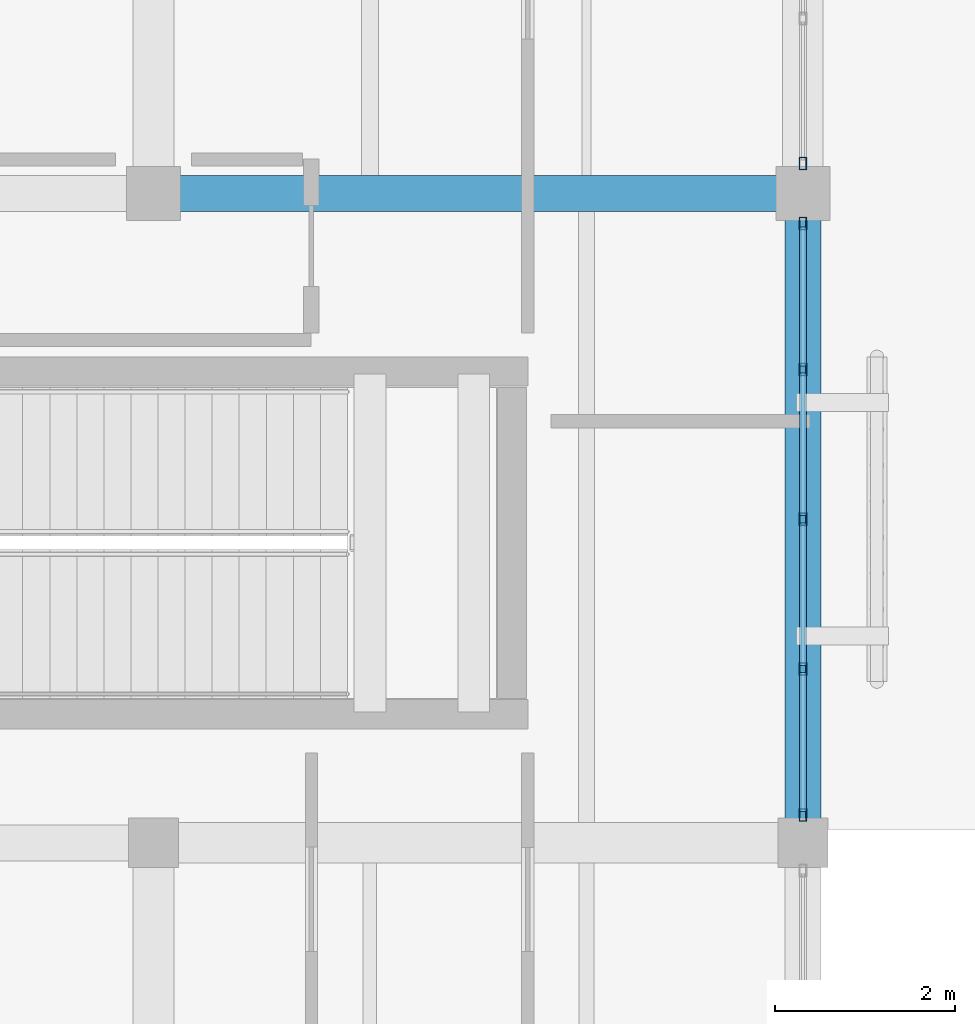
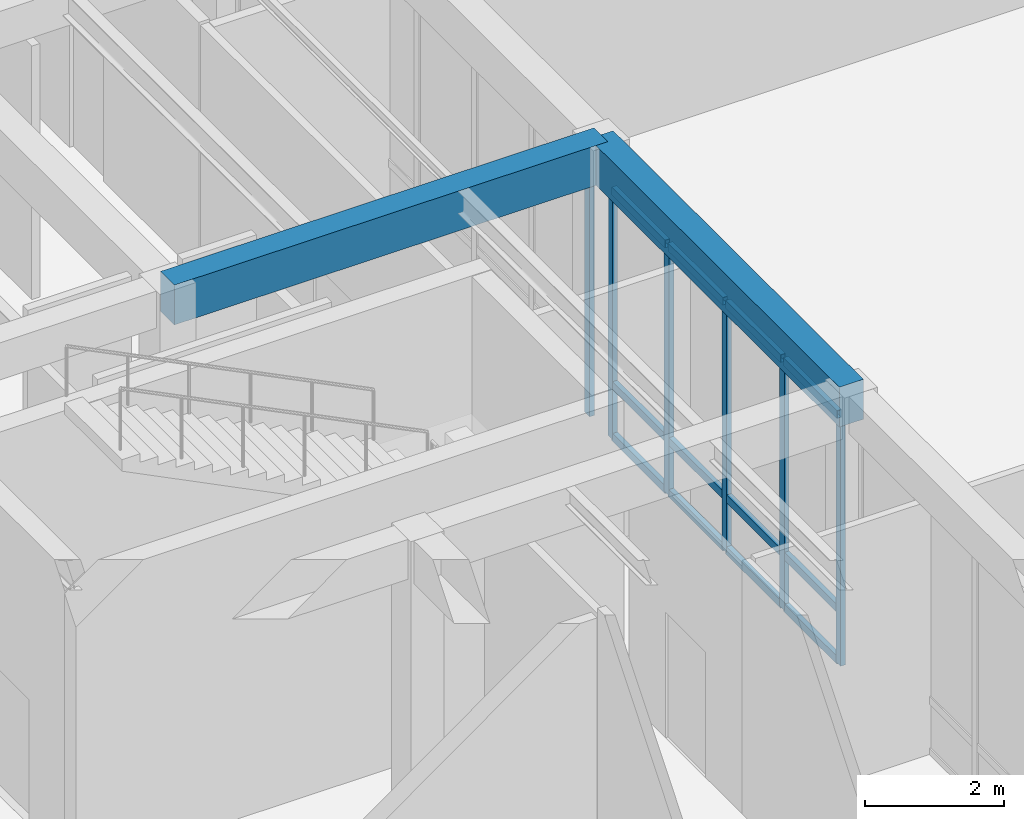
# One storey, part 95 of 169: 18 members, 2 beams, 2 elements without a shape of their own.
"""IFC4 building model written with IfcOpenShell, lengths in metres."""

from ifc_helpers import new_model, si_unit, direction, frame, origin, origin_2d, place, context, subcontext, project, spatial, rectangle, hollow_rectangle, extrude, material, layer, layer_set, material_profile, profile_set, type_object, element, aggregate, save


model = new_model("IFC4")

# Units and contexts
model_context = context("Model", 3, precision=1e-05, world=origin(), true_north=direction((0.0, 1.0)))
body_context = subcontext(model_context, "Body", "Model", "MODEL_VIEW")
ifc_project = project(units=[si_unit("LENGTHUNIT", "METRE"), si_unit("AREAUNIT", "SQUARE_METRE"), si_unit("VOLUMEUNIT", "CUBIC_METRE"), si_unit("PLANEANGLEUNIT", "RADIAN"), si_unit("MASSUNIT", "GRAM", prefix="KILO")], contexts=[model_context])

# Site, building, storey
site_placement = place(None, origin())
site = spatial("IfcSite", under=ifc_project, at=site_placement, CompositionType="ELEMENT")
building_placement = place(site_placement, origin())
building = spatial("IfcBuilding", under=site, at=building_placement, Name="Mazaris Harbour Polytechnic", CompositionType="ELEMENT")
storey_placement = place(building_placement, origin())
storey = spatial("IfcBuildingStorey", under=building, at=storey_placement, Name="L00", CompositionType="ELEMENT", Elevation=0.0)

# Curtain wall, members
ifc_material_1 = material(Name="Anodised Bronze Aluminium and Low-E Glass", Category="aluminium")
ifc_layer = layer(ifc_material_1, 0.169921875, Name="Anodised Bronze Aluminium and Low-E Glass")
ifc_layer_set = layer_set([ifc_layer], Name="Anodised Bronze Aluminium and Low-E Glass")
curtain_wall_type = type_object("IfcCurtainWallType", Name="Studio North-Light Curtain Wall", PredefinedType="NOTDEFINED", material=ifc_layer_set)
curtain_wall_1_placement = place(storey_placement, origin())
curtain_wall_1 = element("IfcCurtainWall", 1, at=curtain_wall_1_placement, inside=storey, type_object=curtain_wall_type, Name="V5 L00 Curtain Wall 198", PredefinedType="NOTDEFINED")
ifc_material_2 = material(Name="Anodised Bronze Steel S355", Category="steel")
ifc_material_profile_1 = material_profile(ifc_material_2, hollow_rectangle(XDim=0.080078125, YDim=0.139892578125, WallThickness=0.00634765625, at=origin_2d()), Name="RHS 80x140x6.3")
ifc_profile_set_1 = profile_set([ifc_material_profile_1], Name="Anodised Bronze Steel S355")
member_type_1 = type_object("IfcMemberType", Name="Curtain Mullion RHS80x140", PredefinedType="MULLION", material=ifc_profile_set_1)
member_1_placement = place(storey_placement, frame((136.800048828125, 68.70703125, 0.0), z_axis=(0.0, 0.0, 1.0), x_axis=(-1.0, 0.0, 0.0)))
member_1 = element("IfcMember", 2, at=member_1_placement, type_object=member_type_1, Name="CW-03 mullion 1", PredefinedType="MULLION", context=body_context, shape_type="SweptSolid", body=[
    extrude(hollow_rectangle(XDim=0.080078125, YDim=0.139892578125, WallThickness=0.00634765625, at=origin_2d()), origin(), (0.0, 0.0, 1.0), 4.389892578125),
])
member_2_placement = place(storey_placement, frame((136.800048828125, 70.3271484375, 0.0), z_axis=(0.0, 0.0, 1.0), x_axis=(-1.0, 0.0, 0.0)))
member_2 = element("IfcMember", 3, at=member_2_placement, type_object=member_type_1, Name="CW-03 mullion 2", PredefinedType="MULLION", context=body_context, shape_type="SweptSolid", body=[
    extrude(hollow_rectangle(XDim=0.080078125, YDim=0.139892578125, WallThickness=0.00634765625, at=origin_2d()), origin(), (0.0, 0.0, 1.0), 4.389892578125),
])
member_3_placement = place(storey_placement, frame((136.800048828125, 71.987548828125, 0.0), z_axis=(0.0, 0.0, 1.0), x_axis=(-1.0, 0.0, 0.0)))
member_3 = element("IfcMember", 4, at=member_3_placement, type_object=member_type_1, Name="CW-03 mullion 3", PredefinedType="MULLION", context=body_context, shape_type="SweptSolid", body=[
    extrude(hollow_rectangle(XDim=0.080078125, YDim=0.139892578125, WallThickness=0.00634765625, at=origin_2d()), origin(), (0.0, 0.0, 1.0), 4.389892578125),
])
member_4_placement = place(storey_placement, frame((136.800048828125, 73.647705078125, 0.0), z_axis=(0.0, 0.0, 1.0), x_axis=(-1.0, 0.0, 0.0)))
member_4 = element("IfcMember", 5, at=member_4_placement, type_object=member_type_1, Name="CW-03 mullion 4", PredefinedType="MULLION", context=body_context, shape_type="SweptSolid", body=[
    extrude(hollow_rectangle(XDim=0.080078125, YDim=0.139892578125, WallThickness=0.00634765625, at=origin_2d()), origin(), (0.0, 0.0, 1.0), 4.389892578125),
])
member_5_placement = place(storey_placement, frame((136.800048828125, 75.26806640625, 0.0), z_axis=(0.0, 0.0, 1.0), x_axis=(-1.0, 0.0, 0.0)))
member_5 = element("IfcMember", 6, at=member_5_placement, type_object=member_type_1, Name="CW-03 mullion 5", PredefinedType="MULLION", context=body_context, shape_type="SweptSolid", body=[
    extrude(hollow_rectangle(XDim=0.080078125, YDim=0.139892578125, WallThickness=0.00634765625, at=origin_2d()), origin(), (0.0, 0.0, 1.0), 4.389892578125),
])

# Curtain wall, member
curtain_wall_2_placement = place(storey_placement, origin())
curtain_wall_2 = element("IfcCurtainWall", 7, at=curtain_wall_2_placement, inside=storey, type_object=curtain_wall_type, Name="V5 L00 Curtain Wall 199", PredefinedType="NOTDEFINED")
member_6_placement = place(storey_placement, frame((136.800048828125, 75.931884765625, 0.0), z_axis=(0.0, 0.0, 1.0), x_axis=(-1.0, 0.0, 0.0)))
member_6 = element("IfcMember", 8, at=member_6_placement, type_object=member_type_1, Name="CW-03 mullion 1", PredefinedType="MULLION", context=body_context, shape_type="SweptSolid", body=[
    extrude(hollow_rectangle(XDim=0.080078125, YDim=0.139892578125, WallThickness=0.00634765625, at=origin_2d()), origin(), (0.0, 0.0, 1.0), 4.340087890625),
])
aggregate(curtain_wall_2, [member_6])

# Member
ifc_material_3 = material(Name="Anodised Bronze Steel S355", Category="steel")
ifc_material_profile_2 = material_profile(ifc_material_3, hollow_rectangle(XDim=0.080078125, YDim=0.139892578125, WallThickness=0.00634765625, at=origin_2d()), Name="RHS 80x140x6.3")
ifc_profile_set_2 = profile_set([ifc_material_profile_2], Name="Anodised Bronze Steel S355")
member_type_2 = type_object("IfcMemberType", Name="Curtain Transom RHS80x140", PredefinedType="USERDEFINED", material=ifc_profile_set_2)
member_7_placement = place(storey_placement, frame((136.800048828125, 68.7470703125, 0.0400390625), z_axis=(0.0, 1.0, 0.0), x_axis=(-1.0, 0.0, 0.0)))
member_7 = element("IfcMember", 9, at=member_7_placement, type_object=member_type_2, Name="CW-03 transom 1.1", ObjectType="TRANSOM", PredefinedType="USERDEFINED", context=body_context, shape_type="SweptSolid", body=[
    extrude(hollow_rectangle(XDim=0.080078125, YDim=0.139892578125, WallThickness=0.00634765625, at=origin_2d()), origin(), (0.0, 0.0, 1.0), 1.540283203125),
])

member_8_placement = place(storey_placement, frame((136.800048828125, 68.7470703125, 0.949951171875), z_axis=(0.0, 1.0, 0.0), x_axis=(-1.0, 0.0, 0.0)))
member_8 = element("IfcMember", 10, at=member_8_placement, type_object=member_type_2, Name="CW-03 transom 1.2", ObjectType="TRANSOM", PredefinedType="USERDEFINED", context=body_context, shape_type="SweptSolid", body=[
    extrude(hollow_rectangle(XDim=0.080078125, YDim=0.139892578125, WallThickness=0.00634765625, at=origin_2d()), origin(), (0.0, 0.0, 1.0), 1.540283203125),
])

member_9_placement = place(storey_placement, frame((136.800048828125, 68.7470703125, 4.35009765625), z_axis=(0.0, 1.0, 0.0), x_axis=(-1.0, 0.0, 0.0)))
member_9 = element("IfcMember", 11, at=member_9_placement, type_object=member_type_2, Name="CW-03 transom 1.3", ObjectType="TRANSOM", PredefinedType="USERDEFINED", context=body_context, shape_type="SweptSolid", body=[
    extrude(hollow_rectangle(XDim=0.080078125, YDim=0.139892578125, WallThickness=0.00634765625, at=origin_2d()), origin(), (0.0, 0.0, 1.0), 1.540283203125),
])

member_10_placement = place(storey_placement, frame((136.800048828125, 70.3671875, 0.0400390625), z_axis=(0.0, 1.0, 0.0), x_axis=(-1.0, 0.0, 0.0)))
member_10 = element("IfcMember", 12, at=member_10_placement, type_object=member_type_2, Name="CW-03 transom 2.1", ObjectType="TRANSOM", PredefinedType="USERDEFINED", context=body_context, shape_type="SweptSolid", body=[
    extrude(hollow_rectangle(XDim=0.080078125, YDim=0.139892578125, WallThickness=0.00634765625, at=origin_2d()), origin(), (0.0, 0.0, 1.0), 1.580322265625),
])

member_11_placement = place(storey_placement, frame((136.800048828125, 70.3671875, 0.949951171875), z_axis=(0.0, 1.0, 0.0), x_axis=(-1.0, 0.0, 0.0)))
member_11 = element("IfcMember", 13, at=member_11_placement, type_object=member_type_2, Name="CW-03 transom 2.2", ObjectType="TRANSOM", PredefinedType="USERDEFINED", context=body_context, shape_type="SweptSolid", body=[
    extrude(hollow_rectangle(XDim=0.080078125, YDim=0.139892578125, WallThickness=0.00634765625, at=origin_2d()), origin(), (0.0, 0.0, 1.0), 1.580322265625),
])

member_12_placement = place(storey_placement, frame((136.800048828125, 70.3671875, 4.35009765625), z_axis=(0.0, 1.0, 0.0), x_axis=(-1.0, 0.0, 0.0)))
member_12 = element("IfcMember", 14, at=member_12_placement, type_object=member_type_2, Name="CW-03 transom 2.3", ObjectType="TRANSOM", PredefinedType="USERDEFINED", context=body_context, shape_type="SweptSolid", body=[
    extrude(hollow_rectangle(XDim=0.080078125, YDim=0.139892578125, WallThickness=0.00634765625, at=origin_2d()), origin(), (0.0, 0.0, 1.0), 1.580322265625),
])

member_13_placement = place(storey_placement, frame((136.800048828125, 72.027587890625, 0.0400390625), z_axis=(0.0, 1.0, 0.0), x_axis=(-1.0, 0.0, 0.0)))
member_13 = element("IfcMember", 15, at=member_13_placement, type_object=member_type_2, Name="CW-03 transom 3.1", ObjectType="TRANSOM", PredefinedType="USERDEFINED", context=body_context, shape_type="SweptSolid", body=[
    extrude(hollow_rectangle(XDim=0.080078125, YDim=0.139892578125, WallThickness=0.00634765625, at=origin_2d()), origin(), (0.0, 0.0, 1.0), 1.580078125),
])

member_14_placement = place(storey_placement, frame((136.800048828125, 72.027587890625, 0.949951171875), z_axis=(0.0, 1.0, 0.0), x_axis=(-1.0, 0.0, 0.0)))
member_14 = element("IfcMember", 16, at=member_14_placement, type_object=member_type_2, Name="CW-03 transom 3.2", ObjectType="TRANSOM", PredefinedType="USERDEFINED", context=body_context, shape_type="SweptSolid", body=[
    extrude(hollow_rectangle(XDim=0.080078125, YDim=0.139892578125, WallThickness=0.00634765625, at=origin_2d()), origin(), (0.0, 0.0, 1.0), 1.580078125),
])

member_15_placement = place(storey_placement, frame((136.800048828125, 72.027587890625, 4.35009765625), z_axis=(0.0, 1.0, 0.0), x_axis=(-1.0, 0.0, 0.0)))
member_15 = element("IfcMember", 17, at=member_15_placement, type_object=member_type_2, Name="CW-03 transom 3.3", ObjectType="TRANSOM", PredefinedType="USERDEFINED", context=body_context, shape_type="SweptSolid", body=[
    extrude(hollow_rectangle(XDim=0.080078125, YDim=0.139892578125, WallThickness=0.00634765625, at=origin_2d()), origin(), (0.0, 0.0, 1.0), 1.580078125),
])

member_16_placement = place(storey_placement, frame((136.800048828125, 73.687744140625, 0.0400390625), z_axis=(0.0, 1.0, 0.0), x_axis=(-1.0, 0.0, 0.0)))
member_16 = element("IfcMember", 18, at=member_16_placement, type_object=member_type_2, Name="CW-03 transom 4.1", ObjectType="TRANSOM", PredefinedType="USERDEFINED", context=body_context, shape_type="SweptSolid", body=[
    extrude(hollow_rectangle(XDim=0.080078125, YDim=0.139892578125, WallThickness=0.00634765625, at=origin_2d()), origin(), (0.0, 0.0, 1.0), 1.540283203125),
])

member_17_placement = place(storey_placement, frame((136.800048828125, 73.687744140625, 0.949951171875), z_axis=(0.0, 1.0, 0.0), x_axis=(-1.0, 0.0, 0.0)))
member_17 = element("IfcMember", 19, at=member_17_placement, type_object=member_type_2, Name="CW-03 transom 4.2", ObjectType="TRANSOM", PredefinedType="USERDEFINED", context=body_context, shape_type="SweptSolid", body=[
    extrude(hollow_rectangle(XDim=0.080078125, YDim=0.139892578125, WallThickness=0.00634765625, at=origin_2d()), origin(), (0.0, 0.0, 1.0), 1.540283203125),
])

member_18_placement = place(storey_placement, frame((136.800048828125, 73.687744140625, 4.35009765625), z_axis=(0.0, 1.0, 0.0), x_axis=(-1.0, 0.0, 0.0)))
member_18 = element("IfcMember", 20, at=member_18_placement, type_object=member_type_2, Name="CW-03 transom 4.3", ObjectType="TRANSOM", PredefinedType="USERDEFINED", context=body_context, shape_type="SweptSolid", body=[
    extrude(hollow_rectangle(XDim=0.080078125, YDim=0.139892578125, WallThickness=0.00634765625, at=origin_2d()), origin(), (0.0, 0.0, 1.0), 1.540283203125),
])

aggregate(curtain_wall_1, [member_1, member_2, member_3, member_4, member_5, member_7, member_8, member_9, member_10, member_11, member_12, member_13, member_14, member_15, member_16, member_17, member_18])

# Beams
ifc_material_4 = material(Name="Concrete C35/45", Category="concrete")
ifc_material_profile_3 = material_profile(ifc_material_4, rectangle(XDim=0.39990234375, YDim=0.699951171875, at=origin_2d()), Name="RECT400x700")
ifc_profile_set_3 = profile_set([ifc_material_profile_3], Name="Concrete C35/45")
beam_type = type_object("IfcBeamType", Name="RC Girder 400x700", PredefinedType="BEAM", material=ifc_profile_set_3)
beam_1_placement = place(storey_placement, frame((129.60009765625, 75.60009765625, 4.75), z_axis=(1.0, 0.0, 0.0), x_axis=(0.0, 1.0, 0.0)))
element("IfcBeam", 21, at=beam_1_placement, inside=storey, type_object=beam_type, Name="V5 L00 Girder 2722", PredefinedType="BEAM", context=body_context, shape_type="SweptSolid", body=[
    extrude(rectangle(XDim=0.39990234375, YDim=0.699951171875, at=origin_2d()), origin(), (0.0, 0.0, 1.0), 7.199951171875),
])
beam_2_placement = place(storey_placement, frame((136.800048828125, 68.39990234375, 4.75), z_axis=(0.0, 1.0, 0.0), x_axis=(-1.0, 0.0, 0.0)))
element("IfcBeam", 22, at=beam_2_placement, inside=storey, type_object=beam_type, Name="V5 L00 Tie Girder 2777", PredefinedType="BEAM", context=body_context, shape_type="SweptSolid", body=[
    extrude(rectangle(XDim=0.39990234375, YDim=0.699951171875, at=origin_2d()), origin(), (0.0, 0.0, 1.0), 7.2001953125),
])

save(model, "model.ifc")
